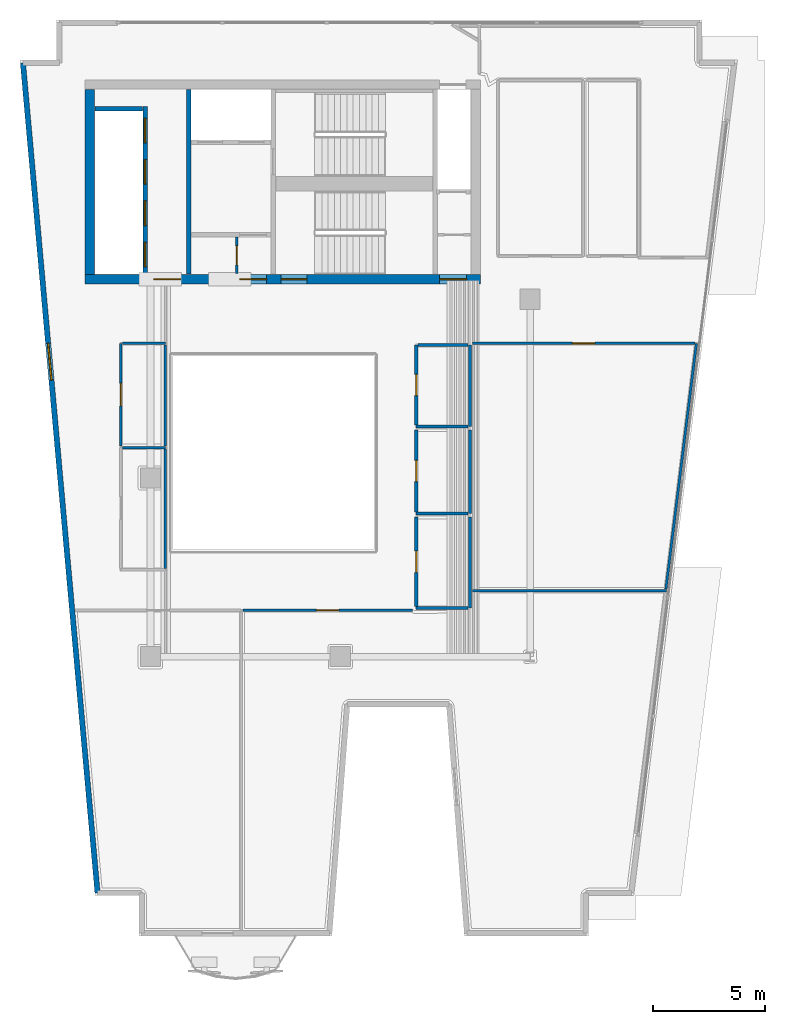
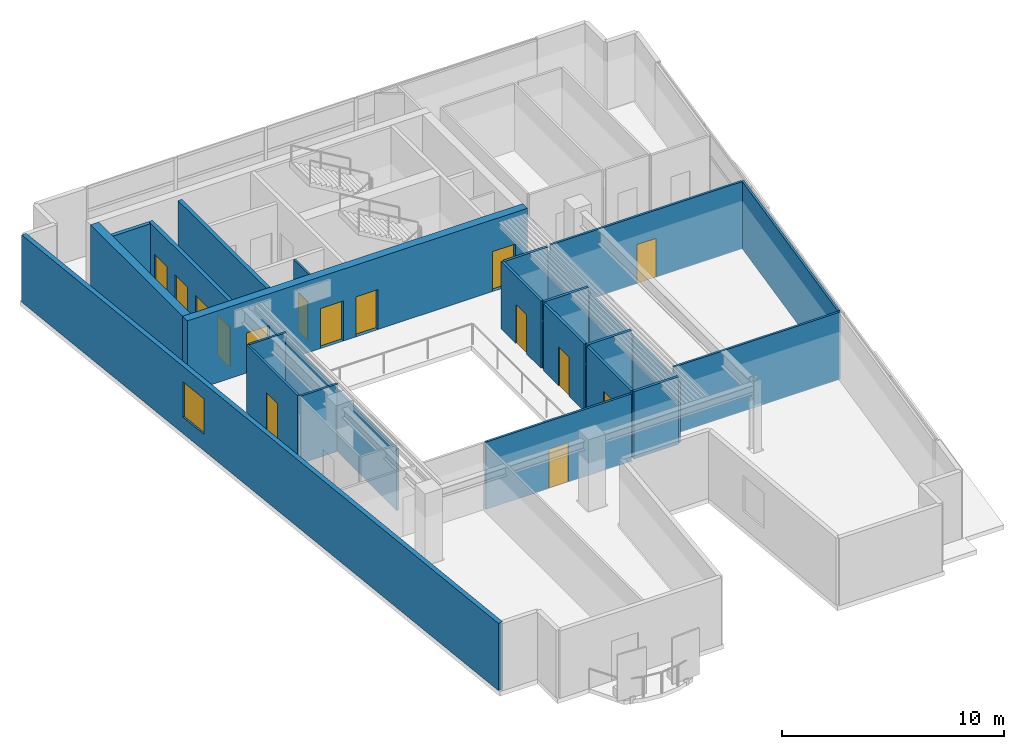
# One storey, part 4 of 8: 26 walls, 15 doors, 1 window, 16 openings.
"""IFC4 building model written with IfcOpenShell, lengths in metres."""

from ifc_helpers import new_model, si_unit, direction, frame, frame_2d, origin, place, context, subcontext, project, spatial, rectangle, extrude, material, layer, layer_set, type_object, element, fill, save


model = new_model("IFC4")

# Units and contexts
model_context = context("Model", 3, precision=1e-05, world=origin(), true_north=direction((0.0, 1.0)))
body_context = subcontext(model_context, "Body", "Model", "MODEL_VIEW")
ifc_project = project(units=[si_unit("LENGTHUNIT", "METRE"), si_unit("AREAUNIT", "SQUARE_METRE"), si_unit("VOLUMEUNIT", "CUBIC_METRE"), si_unit("PLANEANGLEUNIT", "RADIAN"), si_unit("MASSUNIT", "GRAM", prefix="KILO")], contexts=[model_context])

# Site, building, storey
site_placement = place(None, origin())
site = spatial("IfcSite", under=ifc_project, at=site_placement, CompositionType="ELEMENT")
building_placement = place(site_placement, origin())
building = spatial("IfcBuilding", under=site, at=building_placement, Name="Caeloran Harvest Quay", CompositionType="ELEMENT")
storey_placement = place(building_placement, frame((0.0, 0.0, 256.699951171875)))
storey = spatial("IfcBuildingStorey", under=building, at=storey_placement, Name="L61", CompositionType="ELEMENT", Elevation=256.699951171875)

# Wall, opening, window
ifc_material_1 = material(Name="Precast concrete C50/60", Category="concrete")
ifc_layer_1 = layer(ifc_material_1, 0.239990234375, Name="Precast concrete C50/60")
ifc_layer_set_1 = layer_set([ifc_layer_1], Name="Precast concrete C50/60")
wall_type_1 = type_object("IfcWallType", Name="ENV-WALL-EW-240", PredefinedType="STANDARD", material=ifc_layer_set_1)
wall_1_placement = place(storey_placement, frame((6.13330078125, 4.419921875, 0.0), z_axis=(0.0, 0.0, 1.0), x_axis=(-0.089522678378, 0.995984784048, 0.0)))
wall_1 = element("IfcWall", 1, at=wall_1_placement, inside=storey, type_object=wall_type_1, Name="L61 Exterior Precast Concrete Facade Wall 3", PredefinedType="STANDARD", context=body_context, shape_type="SweptSolid", body=[
    extrude(rectangle(XDim=37.31005859375, YDim=0.239990234375, at=frame_2d((18.655029296875, 0.0))), origin(), (0.0, 0.0, 1.0), 3.699951171875),
])
opening_1_placement = place(wall_1_placement, frame((23.052978515625, 0.0, 0.89990234375)))
opening_1 = element("IfcOpeningElement", 2, at=opening_1_placement, cuts=wall_1, Name="Opening W-08", PredefinedType="OPENING", context=body_context, shape_type="SweptSolid", body=[
    extrude(rectangle(XDim=1.64990234375, YDim=1.949951171875, at=frame_2d((0.824951171875, 0.97509765625))), frame((0.0, 0.1298828125, 0.0), z_axis=(0.0, -1.0, 0.0), x_axis=(1.0, 0.0, 0.0)), (0.0, 0.0, 1.0), 0.260009765625),
])
ifc_material_2 = material(Name="Aluminium-Framed Low-E Laminated Glass", Category="aluminium")
window_type = type_object("IfcWindowType", Name="WIN-W-08", PartitioningType="SINGLE_PANEL", PredefinedType="WINDOW", material=ifc_material_2)
window_placement = place(opening_1_placement, origin())
window = element("IfcWindow", 3, at=window_placement, inside=storey, type_object=window_type, Name="L61 Facade Punched Window W-08", OverallHeight=1.949951171875, OverallWidth=1.64990234375, PartitioningType="SINGLE_PANEL", PredefinedType="WINDOW", context=body_context, shape_type="SweptSolid", body=[
    extrude(rectangle(XDim=1.64990234375, YDim=1.949951171875, at=frame_2d((0.824951171875, 0.97509765625))), frame((0.0, 0.030029296875, 0.0), z_axis=(0.0, -1.0, 0.0), x_axis=(1.0, 0.0, 0.0)), (0.0, 0.0, 1.0), 0.06005859375),
])
fill(opening_1, window)

# Wall, opening, door
ifc_material_3 = material(Name="Fire-Resisting Gypsum Core Riser Partition", Category="gypsum")
ifc_layer_2 = layer(ifc_material_3, 0.10009765625, Name="Fire-Resisting Gypsum Core Riser Partition")
ifc_layer_set_2 = layer_set([ifc_layer_2], Name="Fire-Resisting Gypsum Core Riser Partition")
wall_type_2 = type_object("IfcWallType", Name="INT-WALL-PW-100", PredefinedType="PARTITIONING", material=ifc_layer_set_2)
wall_2_placement = place(storey_placement, frame((12.360107421875, 32.159912109375, 0.0), z_axis=(0.0, 0.0, 1.0), x_axis=(0.0, 1.0, 0.0)))
wall_2 = element("IfcWall", 4, at=wall_2_placement, inside=storey, type_object=wall_type_2, Name="L61 Core Store Partition Wall", PredefinedType="PARTITIONING", context=body_context, shape_type="SweptSolid", body=[
    extrude(rectangle(XDim=1.6201171875, YDim=0.10009765625, at=frame_2d((0.81005859375, 0.0))), origin(), (0.0, 0.0, 1.0), 3.699951171875),
])
opening_2_placement = place(wall_2_placement, frame((0.3798828125, 0.0, 0.0)))
opening_2 = element("IfcOpeningElement", 5, at=opening_2_placement, cuts=wall_2, Name="Opening SV-01", PredefinedType="OPENING", context=body_context, shape_type="SweptSolid", body=[
    extrude(rectangle(XDim=0.85009765625, YDim=2.10009765625, at=frame_2d((0.425048828125, 1.050048828125))), frame((0.0, 0.06005859375, 0.0), z_axis=(0.0, -1.0, 0.0), x_axis=(1.0, 0.0, 0.0)), (0.0, 0.0, 1.0), 0.1201171875),
])
ifc_material_4 = material(Name="Galvanized Painted Steel", Category="steel")
door_type_1 = type_object("IfcDoorType", Name="INTDOOR-SV-01", OperationType="NOTDEFINED", PredefinedType="DOOR", material=ifc_material_4)
door_1_placement = place(opening_2_placement, origin())
door_1 = element("IfcDoor", 6, at=door_1_placement, inside=storey, type_object=door_type_1, Name="L61 Core Service Room Access Door", OperationType="SINGLE_SWING_LEFT", OverallHeight=2.10009765625, OverallWidth=0.85009765625, PredefinedType="DOOR", context=body_context, shape_type="SweptSolid", body=[
    extrude(rectangle(XDim=0.85009765625, YDim=2.10009765625, at=frame_2d((0.425048828125, 1.050048828125))), frame((0.0, 0.02490234375, 0.0), z_axis=(0.0, -1.0, 0.0), x_axis=(1.0, 0.0, 0.0)), (0.0, 0.0, 1.0), 0.050048828125),
])
fill(opening_2, door_1)

# Wall
ifc_material_5 = material(Name="Single-Stud Acoustic Gypsum Office Partition", Category="gypsum")
ifc_layer_3 = layer(ifc_material_5, 0.112060546875, Name="Single-Stud Acoustic Gypsum Office Partition")
ifc_layer_set_3 = layer_set([ifc_layer_3], Name="Single-Stud Acoustic Gypsum Office Partition")
wall_type_3 = type_object("IfcWallType", Name="INT-WALL-PW-112", PredefinedType="PARTITIONING", material=ifc_layer_set_3)
wall_3_placement = place(storey_placement, frame((22.909912109375, 17.93994140625, 0.0), z_axis=(0.0, 0.0, 1.0), x_axis=(1.0, 0.0, 0.0)))
element("IfcWall", 7, at=wall_3_placement, inside=storey, type_object=wall_type_3, Name="Philanthropy Impact Office Partition Wall", PredefinedType="PARTITIONING", context=body_context, shape_type="SweptSolid", body=[
    extrude(rectangle(XDim=8.6904296875, YDim=0.112060546875, at=frame_2d((4.34521484375, 0.0))), origin(), (0.0, 0.0, 1.0), 3.699951171875),
])

# Wall, opening, door
wall_4_placement = place(storey_placement, frame((12.639892578125, 17.070068359375, 0.0), z_axis=(0.0, 0.0, 1.0), x_axis=(1.0, 0.0, 0.0)))
wall_4 = element("IfcWall", 8, at=wall_4_placement, inside=storey, type_object=wall_type_3, Name="Philanthropy Impact Office Partition Wall", PredefinedType="PARTITIONING", context=body_context, shape_type="SweptSolid", body=[
    extrude(rectangle(XDim=7.587158203125, YDim=0.112060546875, at=frame_2d((3.79345703125, 0.0))), origin(), (0.0, 0.0, 1.0), 3.699951171875),
])
opening_3_placement = place(wall_4_placement, frame((3.29345703125, 0.0, 0.0)))
opening_3 = element("IfcOpeningElement", 9, at=opening_3_placement, cuts=wall_4, Name="Opening ID-01", PredefinedType="OPENING", context=body_context, shape_type="SweptSolid", body=[
    extrude(rectangle(XDim=1.0, YDim=2.14990234375, at=frame_2d((0.5, 1.074951171875))), frame((0.0, 0.06591796875, 0.0), z_axis=(0.0, -1.0, 0.0), x_axis=(1.0, 0.0, 0.0)), (0.0, 0.0, 1.0), 0.132080078125),
])
ifc_material_6 = material(Name="FSC Solid-Core Ash Timber and Acoustic Seal", Category="wood")
door_type_2 = type_object("IfcDoorType", Name="INTDOOR-ID-01", OperationType="NOTDEFINED", PredefinedType="DOOR", material=ifc_material_6)
door_2_placement = place(opening_3_placement, origin())
door_2 = element("IfcDoor", 10, at=door_2_placement, inside=storey, type_object=door_type_2, Name="Philanthropy Impact Office Access Door", OperationType="SINGLE_SWING_RIGHT", OverallHeight=2.14990234375, OverallWidth=1.0, PredefinedType="DOOR", context=body_context, shape_type="SweptSolid", body=[
    extrude(rectangle(XDim=1.0, YDim=2.14990234375, at=frame_2d((0.5, 1.074951171875))), frame((0.0, 0.02490234375, 0.0), z_axis=(0.0, -1.0, 0.0), x_axis=(1.0, 0.0, 0.0)), (0.0, 0.0, 1.0), 0.050048828125),
])
fill(opening_3, door_2)

# Walls
wall_5_placement = place(storey_placement, frame((7.240966796875, 24.360107421875, 0.0), z_axis=(0.0, 0.0, 1.0), x_axis=(1.0, 0.0, 0.0)))
element("IfcWall", 11, at=wall_5_placement, inside=storey, type_object=wall_type_3, Name="Quantitative Strategy Laboratory Partition Wall", PredefinedType="PARTITIONING", context=body_context, shape_type="SweptSolid", body=[
    extrude(rectangle(XDim=1.928955078125, YDim=0.112060546875, at=frame_2d((0.96435546875, 0.0))), origin(), (0.0, 0.0, 1.0), 3.699951171875),
])
wall_6_placement = place(storey_placement, frame((9.169921875, 24.299072265625, 0.0), z_axis=(0.0, 0.0, 1.0), x_axis=(0.0, -1.0, 0.0)))
element("IfcWall", 12, at=wall_6_placement, inside=storey, type_object=wall_type_3, Name="Quantitative Strategy Laboratory Partition Wall", PredefinedType="PARTITIONING", context=body_context, shape_type="SweptSolid", body=[
    extrude(rectangle(XDim=5.358154296875, YDim=0.112060546875, at=frame_2d((2.67919921875, 0.0))), origin(), (0.0, 0.0, 1.0), 3.385009765625),
])
wall_7_placement = place(storey_placement, frame((32.94091796875, 29.02001953125, 0.0), z_axis=(0.0, 0.0, 1.0), x_axis=(-0.123232290614, -0.99237785271, 0.0)))
element("IfcWall", 13, at=wall_7_placement, inside=storey, type_object=wall_type_3, Name="Investment Committee Boardroom Partition Wall", PredefinedType="PARTITIONING", context=body_context, shape_type="SweptSolid", body=[
    extrude(rectangle(XDim=11.08447265625, YDim=0.112060546875, at=frame_2d((5.542236328125, 0.0))), origin(), (0.0, 0.0, 1.0), 3.699951171875),
])

# Wall, opening, door
wall_8_placement = place(storey_placement, frame((22.909912109375, 29.02001953125, 0.0), z_axis=(0.0, 0.0, 1.0), x_axis=(1.0, 0.0, 0.0)))
wall_8 = element("IfcWall", 14, at=wall_8_placement, inside=storey, type_object=wall_type_3, Name="Investment Committee Boardroom Partition Wall", PredefinedType="PARTITIONING", context=body_context, shape_type="SweptSolid", body=[
    extrude(rectangle(XDim=9.969482421875, YDim=0.112060546875, at=frame_2d((4.98486328125, 0.0))), origin(), (0.0, 0.0, 1.0), 3.699951171875),
])
opening_4_placement = place(wall_8_placement, frame((4.48486328125, 0.0, 0.0)))
opening_4 = element("IfcOpeningElement", 15, at=opening_4_placement, cuts=wall_8, Name="Opening ID-01", PredefinedType="OPENING", context=body_context, shape_type="SweptSolid", body=[
    extrude(rectangle(XDim=1.0, YDim=2.14990234375, at=frame_2d((0.5, 1.074951171875))), frame((0.0, 0.06591796875, 0.0), z_axis=(0.0, -1.0, 0.0), x_axis=(1.0, 0.0, 0.0)), (0.0, 0.0, 1.0), 0.132080078125),
])
door_3_placement = place(opening_4_placement, origin())
door_3 = element("IfcDoor", 16, at=door_3_placement, inside=storey, type_object=door_type_2, Name="Investment Committee Boardroom Access Door", OperationType="SINGLE_SWING_RIGHT", OverallHeight=2.14990234375, OverallWidth=1.0, PredefinedType="DOOR", context=body_context, shape_type="SweptSolid", body=[
    extrude(rectangle(XDim=1.0, YDim=2.14990234375, at=frame_2d((0.5, 1.074951171875))), frame((0.0, 0.02490234375, 0.0), z_axis=(0.0, -1.0, 0.0), x_axis=(1.0, 0.0, 0.0)), (0.0, 0.0, 1.0), 0.050048828125),
])
fill(opening_4, door_3)

wall_9_placement = place(storey_placement, frame((7.179931640625, 24.43994140625, 0.0), z_axis=(0.0, 0.0, 1.0), x_axis=(0.0, 1.0, 0.0)))
wall_9 = element("IfcWall", 17, at=wall_9_placement, inside=storey, type_object=wall_type_3, Name="Harbour Sky Salon Lounge Partition Wall", PredefinedType="PARTITIONING", context=body_context, shape_type="SweptSolid", body=[
    extrude(rectangle(XDim=4.580078125, YDim=0.112060546875, at=frame_2d((2.2900390625, 0.0))), origin(), (0.0, 0.0, 1.0), 3.699951171875),
])
opening_5_placement = place(wall_9_placement, frame((1.7900390625, 0.0, 0.0)))
opening_5 = element("IfcOpeningElement", 18, at=opening_5_placement, cuts=wall_9, Name="Opening ID-01", PredefinedType="OPENING", context=body_context, shape_type="SweptSolid", body=[
    extrude(rectangle(XDim=1.0, YDim=2.14990234375, at=frame_2d((0.5, 1.074951171875))), frame((0.0, 0.06591796875, 0.0), z_axis=(0.0, -1.0, 0.0), x_axis=(1.0, 0.0, 0.0)), (0.0, 0.0, 1.0), 0.132080078125),
])
door_4_placement = place(opening_5_placement, origin())
door_4 = element("IfcDoor", 19, at=door_4_placement, inside=storey, type_object=door_type_2, Name="Harbour Sky Salon Lounge Access Door", OperationType="SINGLE_SWING_LEFT", OverallHeight=2.14990234375, OverallWidth=1.0, PredefinedType="DOOR", context=body_context, shape_type="SweptSolid", body=[
    extrude(rectangle(XDim=1.0, YDim=2.14990234375, at=frame_2d((0.5, 1.074951171875))), frame((0.0, 0.02490234375, 0.0), z_axis=(0.0, -1.0, 0.0), x_axis=(1.0, 0.0, 0.0)), (0.0, 0.0, 1.0), 0.050048828125),
])
fill(opening_5, door_4)

# Walls
wall_10_placement = place(storey_placement, frame((7.240966796875, 29.02001953125, 0.0), z_axis=(0.0, 0.0, 1.0), x_axis=(1.0, 0.0, 0.0)))
element("IfcWall", 20, at=wall_10_placement, inside=storey, type_object=wall_type_3, Name="Harbour Sky Salon Lounge Partition Wall", PredefinedType="PARTITIONING", context=body_context, shape_type="SweptSolid", body=[
    extrude(rectangle(XDim=1.928955078125, YDim=0.112060546875, at=frame_2d((0.96435546875, 0.0))), origin(), (0.0, 0.0, 1.0), 3.699951171875),
])
wall_11_placement = place(storey_placement, frame((9.169921875, 28.958984375, 0.0), z_axis=(0.0, 0.0, 1.0), x_axis=(0.0, -1.0, 0.0)))
element("IfcWall", 21, at=wall_11_placement, inside=storey, type_object=wall_type_3, Name="Harbour Sky Salon Lounge Partition Wall", PredefinedType="PARTITIONING", context=body_context, shape_type="SweptSolid", body=[
    extrude(rectangle(XDim=4.51904296875, YDim=0.112060546875, at=frame_2d((2.259521484375, 0.0))), origin(), (0.0, 0.0, 1.0), 3.385009765625),
])
ifc_material_7 = material(Name="Moisture-Resistant Cement-Board Sanitary Partition", Category="gypsum")
ifc_layer_4 = layer(ifc_material_7, 0.139892578125, Name="Moisture-Resistant Cement-Board Sanitary Partition")
ifc_layer_set_4 = layer_set([ifc_layer_4], Name="Moisture-Resistant Cement-Board Sanitary Partition")
wall_type_4 = type_object("IfcWallType", Name="INT-WALL-PW-140", PredefinedType="PARTITIONING", material=ifc_layer_set_4)
wall_12_placement = place(storey_placement, frame((22.800048828125, 28.949951171875, 0.0), z_axis=(0.0, 0.0, 1.0), x_axis=(0.0, -1.0, 0.0)))
element("IfcWall", 22, at=wall_12_placement, inside=storey, type_object=wall_type_4, Name="L61 Male Washroom WC Partition Wall", PredefinedType="PARTITIONING", context=body_context, shape_type="SweptSolid", body=[
    extrude(rectangle(XDim=3.64990234375, YDim=0.139892578125, at=frame_2d((1.824951171875, 0.0))), origin(), (0.0, 0.0, 1.0), 3.385009765625),
])
wall_13_placement = place(storey_placement, frame((22.72509765625, 25.300048828125, 0.0), z_axis=(0.0, 0.0, 1.0), x_axis=(-1.0, 0.0, 0.0)))
element("IfcWall", 23, at=wall_13_placement, inside=storey, type_object=wall_type_4, Name="L61 Male Washroom WC Partition Wall", PredefinedType="PARTITIONING", context=body_context, shape_type="SweptSolid", body=[
    extrude(rectangle(XDim=2.3251953125, YDim=0.139892578125, at=frame_2d((1.16259765625, 0.0))), origin(), (0.0, 0.0, 1.0), 3.699951171875),
])

# Wall, opening, door
wall_14_placement = place(storey_placement, frame((20.39990234375, 25.375, 0.0), z_axis=(0.0, 0.0, 1.0), x_axis=(0.0, 1.0, 0.0)))
wall_14 = element("IfcWall", 24, at=wall_14_placement, inside=storey, type_object=wall_type_4, Name="L61 Male Washroom WC Partition Wall", PredefinedType="PARTITIONING", context=body_context, shape_type="SweptSolid", body=[
    extrude(rectangle(XDim=3.574951171875, YDim=0.139892578125, at=frame_2d((1.78759765625, 0.0))), origin(), (0.0, 0.0, 1.0), 3.699951171875),
])
opening_6_placement = place(wall_14_placement, frame((1.3125, 0.0, 0.0)))
opening_6 = element("IfcOpeningElement", 25, at=opening_6_placement, cuts=wall_14, Name="Opening WC-01", PredefinedType="OPENING", context=body_context, shape_type="SweptSolid", body=[
    extrude(rectangle(XDim=0.949951171875, YDim=2.14990234375, at=frame_2d((0.47509765625, 1.074951171875))), frame((0.0, 0.080078125, 0.0), z_axis=(0.0, -1.0, 0.0), x_axis=(1.0, 0.0, 0.0)), (0.0, 0.0, 1.0), 0.159912109375),
])
ifc_material_8 = material(Name="High-Pressure Laminate Moisture-Resistant Timber", Category="wood")
door_type_3 = type_object("IfcDoorType", Name="INTDOOR-WC-01", OperationType="NOTDEFINED", PredefinedType="DOOR", material=ifc_material_8)
door_5_placement = place(opening_6_placement, origin())
door_5 = element("IfcDoor", 26, at=door_5_placement, inside=storey, type_object=door_type_3, Name="L61 Male Washroom WC Access Door", OperationType="SINGLE_SWING_RIGHT", OverallHeight=2.14990234375, OverallWidth=0.949951171875, PredefinedType="DOOR", context=body_context, shape_type="SweptSolid", body=[
    extrude(rectangle(XDim=0.949951171875, YDim=2.14990234375, at=frame_2d((0.47509765625, 1.074951171875))), frame((0.0, 0.02490234375, 0.0), z_axis=(0.0, -1.0, 0.0), x_axis=(1.0, 0.0, 0.0)), (0.0, 0.0, 1.0), 0.050048828125),
])
fill(opening_6, door_5)

# Walls
wall_15_placement = place(storey_placement, frame((20.47509765625, 28.949951171875, 0.0), z_axis=(0.0, 0.0, 1.0), x_axis=(1.0, 0.0, 0.0)))
element("IfcWall", 27, at=wall_15_placement, inside=storey, type_object=wall_type_4, Name="L61 Male Washroom WC Partition Wall", PredefinedType="PARTITIONING", context=body_context, shape_type="SweptSolid", body=[
    extrude(rectangle(XDim=2.25, YDim=0.139892578125, at=frame_2d((1.125, 0.0))), origin(), (0.0, 0.0, 1.0), 3.699951171875),
])
wall_16_placement = place(storey_placement, frame((22.800048828125, 25.14990234375, 0.0), z_axis=(0.0, 0.0, 1.0), x_axis=(0.0, -1.0, 0.0)))
element("IfcWall", 28, at=wall_16_placement, inside=storey, type_object=wall_type_4, Name="L61 Female Washroom WC Partition Wall", PredefinedType="PARTITIONING", context=body_context, shape_type="SweptSolid", body=[
    extrude(rectangle(XDim=3.75, YDim=0.139892578125, at=frame_2d((1.875, 0.0))), origin(), (0.0, 0.0, 1.0), 3.385009765625),
])
wall_17_placement = place(storey_placement, frame((22.72509765625, 21.39990234375, 0.0), z_axis=(0.0, 0.0, 1.0), x_axis=(-1.0, 0.0, 0.0)))
element("IfcWall", 29, at=wall_17_placement, inside=storey, type_object=wall_type_4, Name="L61 Female Washroom WC Partition Wall", PredefinedType="PARTITIONING", context=body_context, shape_type="SweptSolid", body=[
    extrude(rectangle(XDim=2.3251953125, YDim=0.139892578125, at=frame_2d((1.16259765625, 0.0))), origin(), (0.0, 0.0, 1.0), 3.699951171875),
])

# Wall, opening, door
wall_18_placement = place(storey_placement, frame((20.39990234375, 21.47509765625, 0.0), z_axis=(0.0, 0.0, 1.0), x_axis=(0.0, 1.0, 0.0)))
wall_18 = element("IfcWall", 30, at=wall_18_placement, inside=storey, type_object=wall_type_4, Name="L61 Female Washroom WC Partition Wall", PredefinedType="PARTITIONING", context=body_context, shape_type="SweptSolid", body=[
    extrude(rectangle(XDim=3.6748046875, YDim=0.139892578125, at=frame_2d((1.83740234375, 0.0))), origin(), (0.0, 0.0, 1.0), 3.699951171875),
])
opening_7_placement = place(wall_18_placement, frame((1.362548828125, 0.0, 0.0)))
opening_7 = element("IfcOpeningElement", 31, at=opening_7_placement, cuts=wall_18, Name="Opening WC-01", PredefinedType="OPENING", context=body_context, shape_type="SweptSolid", body=[
    extrude(rectangle(XDim=0.949951171875, YDim=2.14990234375, at=frame_2d((0.47509765625, 1.074951171875))), frame((0.0, 0.080078125, 0.0), z_axis=(0.0, -1.0, 0.0), x_axis=(1.0, 0.0, 0.0)), (0.0, 0.0, 1.0), 0.159912109375),
])
door_6_placement = place(opening_7_placement, origin())
door_6 = element("IfcDoor", 32, at=door_6_placement, inside=storey, type_object=door_type_3, Name="L61 Female Washroom WC Access Door", OperationType="SINGLE_SWING_LEFT", OverallHeight=2.14990234375, OverallWidth=0.949951171875, PredefinedType="DOOR", context=body_context, shape_type="SweptSolid", body=[
    extrude(rectangle(XDim=0.949951171875, YDim=2.14990234375, at=frame_2d((0.47509765625, 1.074951171875))), frame((0.0, 0.02490234375, 0.0), z_axis=(0.0, -1.0, 0.0), x_axis=(1.0, 0.0, 0.0)), (0.0, 0.0, 1.0), 0.050048828125),
])
fill(opening_7, door_6)

# Walls
wall_19_placement = place(storey_placement, frame((22.800048828125, 21.25, 0.0), z_axis=(0.0, 0.0, 1.0), x_axis=(0.0, -1.0, 0.0)))
element("IfcWall", 33, at=wall_19_placement, inside=storey, type_object=wall_type_4, Name="L61 Accessible Unisex Washroom WC Partition Wall", PredefinedType="PARTITIONING", context=body_context, shape_type="SweptSolid", body=[
    extrude(rectangle(XDim=4.070068359375, YDim=0.139892578125, at=frame_2d((2.03515625, 0.0))), origin(), (0.0, 0.0, 1.0), 3.385009765625),
])
wall_20_placement = place(storey_placement, frame((22.72509765625, 17.179931640625, 0.0), z_axis=(0.0, 0.0, 1.0), x_axis=(-1.0, 0.0, 0.0)))
element("IfcWall", 34, at=wall_20_placement, inside=storey, type_object=wall_type_4, Name="L61 Accessible Unisex Washroom WC Partition Wall", PredefinedType="PARTITIONING", context=body_context, shape_type="SweptSolid", body=[
    extrude(rectangle(XDim=2.3251953125, YDim=0.139892578125, at=frame_2d((1.16259765625, 0.0))), origin(), (0.0, 0.0, 1.0), 3.699951171875),
])

# Wall, opening, door
wall_21_placement = place(storey_placement, frame((20.39990234375, 17.2548828125, 0.0), z_axis=(0.0, 0.0, 1.0), x_axis=(0.0, 1.0, 0.0)))
wall_21 = element("IfcWall", 35, at=wall_21_placement, inside=storey, type_object=wall_type_4, Name="L61 Accessible Unisex Washroom WC Partition Wall", PredefinedType="PARTITIONING", context=body_context, shape_type="SweptSolid", body=[
    extrude(rectangle(XDim=3.9951171875, YDim=0.139892578125, at=frame_2d((1.99755859375, 0.0))), origin(), (0.0, 0.0, 1.0), 3.699951171875),
])
opening_8_placement = place(wall_21_placement, frame((1.5224609375, 0.0, 0.0)))
opening_8 = element("IfcOpeningElement", 36, at=opening_8_placement, cuts=wall_21, Name="Opening WC-01", PredefinedType="OPENING", context=body_context, shape_type="SweptSolid", body=[
    extrude(rectangle(XDim=0.949951171875, YDim=2.14990234375, at=frame_2d((0.47509765625, 1.074951171875))), frame((0.0, 0.080078125, 0.0), z_axis=(0.0, -1.0, 0.0), x_axis=(1.0, 0.0, 0.0)), (0.0, 0.0, 1.0), 0.159912109375),
])
door_7_placement = place(opening_8_placement, origin())
door_7 = element("IfcDoor", 37, at=door_7_placement, inside=storey, type_object=door_type_3, Name="L61 Accessible Unisex Washroom WC Access Door", OperationType="SINGLE_SWING_RIGHT", OverallHeight=2.14990234375, OverallWidth=0.949951171875, PredefinedType="DOOR", context=body_context, shape_type="SweptSolid", body=[
    extrude(rectangle(XDim=0.949951171875, YDim=2.14990234375, at=frame_2d((0.47509765625, 1.074951171875))), frame((0.0, 0.02490234375, 0.0), z_axis=(0.0, -1.0, 0.0), x_axis=(1.0, 0.0, 0.0)), (0.0, 0.0, 1.0), 0.050048828125),
])
fill(opening_8, door_7)

# Wall, openings, doors
ifc_material_9 = material(Name="Concrete C50/60", Category="concrete")
ifc_layer_5 = layer(ifc_material_9, 0.199951171875, Name="Concrete C50/60")
ifc_layer_set_5 = layer_set([ifc_layer_5], Name="Concrete C50/60")
wall_type_5 = type_object("IfcWallType", Name="INT-WALL-SW-200", PredefinedType="PARTITIONING", material=ifc_layer_set_5)
wall_22_placement = place(storey_placement, frame((8.260009765625, 32.1201171875, 0.0), z_axis=(0.0, 0.0, 1.0), x_axis=(0.0, 1.0, 0.0)))
wall_22 = element("IfcWall", 38, at=wall_22_placement, inside=storey, type_object=wall_type_5, Name="L61 Bank 3 Lift Shaft Wall", PredefinedType="PARTITIONING", context=body_context, shape_type="SweptSolid", body=[
    extrude(rectangle(XDim=7.5, YDim=0.199951171875, at=frame_2d((3.75, 0.0))), origin(), (0.0, 0.0, 1.0), 3.699951171875),
])
opening_9_placement = place(wall_22_placement, frame((0.330078125, 0.0, 0.0)))
opening_9 = element("IfcOpeningElement", 39, at=opening_9_placement, cuts=wall_22, Name="Opening LD-01", PredefinedType="OPENING", context=body_context, shape_type="SweptSolid", body=[
    extrude(rectangle(XDim=1.10009765625, YDim=2.199951171875, at=frame_2d((0.550048828125, 1.10009765625))), frame((0.0, 0.10986328125, 0.0), z_axis=(0.0, -1.0, 0.0), x_axis=(1.0, 0.0, 0.0)), (0.0, 0.0, 1.0), 0.219970703125),
])
opening_10_placement = place(wall_22_placement, frame((2.179931640625, 0.0, 0.0)))
opening_10 = element("IfcOpeningElement", 40, at=opening_10_placement, cuts=wall_22, Name="Opening LD-01", PredefinedType="OPENING", context=body_context, shape_type="SweptSolid", body=[
    extrude(rectangle(XDim=1.10009765625, YDim=2.199951171875, at=frame_2d((0.550048828125, 1.10009765625))), frame((0.0, 0.10986328125, 0.0), z_axis=(0.0, -1.0, 0.0), x_axis=(1.0, 0.0, 0.0)), (0.0, 0.0, 1.0), 0.219970703125),
])
opening_11_placement = place(wall_22_placement, frame((4.030029296875, 0.0, 0.0)))
opening_11 = element("IfcOpeningElement", 41, at=opening_11_placement, cuts=wall_22, Name="Opening LD-01", PredefinedType="OPENING", context=body_context, shape_type="SweptSolid", body=[
    extrude(rectangle(XDim=1.10009765625, YDim=2.199951171875, at=frame_2d((0.550048828125, 1.10009765625))), frame((0.0, 0.10986328125, 0.0), z_axis=(0.0, -1.0, 0.0), x_axis=(1.0, 0.0, 0.0)), (0.0, 0.0, 1.0), 0.219970703125),
])
opening_12_placement = place(wall_22_placement, frame((5.8798828125, 0.0, 0.0)))
opening_12 = element("IfcOpeningElement", 42, at=opening_12_placement, cuts=wall_22, Name="Opening LD-01", PredefinedType="OPENING", context=body_context, shape_type="SweptSolid", body=[
    extrude(rectangle(XDim=1.10009765625, YDim=2.199951171875, at=frame_2d((0.550048828125, 1.10009765625))), frame((0.0, 0.10986328125, 0.0), z_axis=(0.0, -1.0, 0.0), x_axis=(1.0, 0.0, 0.0)), (0.0, 0.0, 1.0), 0.219970703125),
])
ifc_material_10 = material(Name="Stainless Steel Grade 316", Category="steel")
door_type_4 = type_object("IfcDoorType", Name="INTDOOR-LD-01", OperationType="NOTDEFINED", PredefinedType="DOOR", material=ifc_material_10)
door_8_placement = place(opening_9_placement, origin())
door_8 = element("IfcDoor", 43, at=door_8_placement, inside=storey, type_object=door_type_4, Name="Lift P3-1 Sliding Landing Door (L61)", OperationType="DOUBLE_DOOR_SLIDING", OverallHeight=2.199951171875, OverallWidth=1.10009765625, PredefinedType="DOOR", context=body_context, shape_type="SweptSolid", body=[
    extrude(rectangle(XDim=1.10009765625, YDim=2.199951171875, at=frame_2d((0.550048828125, 1.10009765625))), frame((0.0, 0.02490234375, 0.0), z_axis=(0.0, -1.0, 0.0), x_axis=(1.0, 0.0, 0.0)), (0.0, 0.0, 1.0), 0.050048828125),
])
fill(opening_9, door_8)
door_9_placement = place(opening_10_placement, origin())
door_9 = element("IfcDoor", 44, at=door_9_placement, inside=storey, type_object=door_type_4, Name="Lift P3-2 Sliding Landing Door (L61)", OperationType="DOUBLE_DOOR_SLIDING", OverallHeight=2.199951171875, OverallWidth=1.10009765625, PredefinedType="DOOR", context=body_context, shape_type="SweptSolid", body=[
    extrude(rectangle(XDim=1.10009765625, YDim=2.199951171875, at=frame_2d((0.550048828125, 1.10009765625))), frame((0.0, 0.02490234375, 0.0), z_axis=(0.0, -1.0, 0.0), x_axis=(1.0, 0.0, 0.0)), (0.0, 0.0, 1.0), 0.050048828125),
])
fill(opening_10, door_9)
door_10_placement = place(opening_11_placement, origin())
door_10 = element("IfcDoor", 45, at=door_10_placement, inside=storey, type_object=door_type_4, Name="Lift P3-3 Sliding Landing Door (L61)", OperationType="DOUBLE_DOOR_SLIDING", OverallHeight=2.199951171875, OverallWidth=1.10009765625, PredefinedType="DOOR", context=body_context, shape_type="SweptSolid", body=[
    extrude(rectangle(XDim=1.10009765625, YDim=2.199951171875, at=frame_2d((0.550048828125, 1.10009765625))), frame((0.0, 0.02490234375, 0.0), z_axis=(0.0, -1.0, 0.0), x_axis=(1.0, 0.0, 0.0)), (0.0, 0.0, 1.0), 0.050048828125),
])
fill(opening_11, door_10)
door_11_placement = place(opening_12_placement, origin())
door_11 = element("IfcDoor", 46, at=door_11_placement, inside=storey, type_object=door_type_4, Name="Lift P3-4 Sliding Landing Door (L61)", OperationType="DOUBLE_DOOR_SLIDING", OverallHeight=2.199951171875, OverallWidth=1.10009765625, PredefinedType="DOOR", context=body_context, shape_type="SweptSolid", body=[
    extrude(rectangle(XDim=1.10009765625, YDim=2.199951171875, at=frame_2d((0.550048828125, 1.10009765625))), frame((0.0, 0.02490234375, 0.0), z_axis=(0.0, -1.0, 0.0), x_axis=(1.0, 0.0, 0.0)), (0.0, 0.0, 1.0), 0.050048828125),
])
fill(opening_12, door_11)

# Walls
wall_23_placement = place(storey_placement, frame((6.02001953125, 39.52001953125, 0.0), z_axis=(0.0, 0.0, 1.0), x_axis=(1.0, 0.0, 0.0)))
element("IfcWall", 47, at=wall_23_placement, inside=storey, type_object=wall_type_5, Name="L61 Bank 3 Lift Shaft North End Wall", PredefinedType="PARTITIONING", context=body_context, shape_type="SweptSolid", body=[
    extrude(rectangle(XDim=2.119873046875, YDim=0.199951171875, at=frame_2d((1.06005859375, 0.0))), origin(), (0.0, 0.0, 1.0), 3.699951171875),
])
wall_24_placement = place(storey_placement, frame((10.219970703125, 32.1201171875, 0.0), z_axis=(0.0, 0.0, 1.0), x_axis=(0.0, 1.0, 0.0)))
element("IfcWall", 48, at=wall_24_placement, inside=storey, type_object=wall_type_5, Name="L61 Core Lobby Compartment Wall", PredefinedType="PARTITIONING", context=body_context, shape_type="SweptSolid", body=[
    extrude(rectangle(XDim=8.259765625, YDim=0.199951171875, at=frame_2d((4.1298828125, 0.0))), origin(), (0.0, 0.0, 1.0), 3.699951171875),
])

# Wall, openings, doors
ifc_material_11 = material(Name="Concrete C60/75", Category="concrete")
ifc_layer_6 = layer(ifc_material_11, 0.419921875, Name="Concrete C60/75")
ifc_layer_set_6 = layer_set([ifc_layer_6], Name="Concrete C60/75")
wall_type_6 = type_object("IfcWallType", Name="STR-WALL-CW-420", PredefinedType="SHEAR", material=ifc_layer_set_6)
wall_25_placement = place(storey_placement, frame((5.580078125, 31.889892578125, 0.0), z_axis=(0.0, 0.0, 1.0), x_axis=(1.0, 0.0, 0.0)))
wall_25 = element("IfcWall", 49, at=wall_25_placement, inside=storey, type_object=wall_type_6, Name="L61 Rear Core Shear Wall S", PredefinedType="SHEAR", context=body_context, shape_type="SweptSolid", body=[
    extrude(rectangle(XDim=17.68994140625, YDim=0.419921875, at=frame_2d((8.844970703125, 0.0))), origin(), (0.0, 0.0, 1.0), 3.949951171875),
])
opening_13_placement = place(wall_25_placement, frame((3.070068359375, 0.0, 0.0)))
opening_13 = element("IfcOpeningElement", 50, at=opening_13_placement, cuts=wall_25, Name="Opening FD-01", PredefinedType="OPENING", context=body_context, shape_type="SweptSolid", body=[
    extrude(rectangle(XDim=1.199951171875, YDim=2.199951171875, at=frame_2d((0.60009765625, 1.10009765625))), frame((0.0, 0.219970703125, 0.0), z_axis=(0.0, -1.0, 0.0), x_axis=(1.0, 0.0, 0.0)), (0.0, 0.0, 1.0), 0.43994140625),
])
opening_14_placement = place(wall_25_placement, frame((6.919921875, 0.0, 0.0)))
opening_14 = element("IfcOpeningElement", 51, at=opening_14_placement, cuts=wall_25, Name="Opening FD-01", PredefinedType="OPENING", context=body_context, shape_type="SweptSolid", body=[
    extrude(rectangle(XDim=1.199951171875, YDim=2.199951171875, at=frame_2d((0.60009765625, 1.10009765625))), frame((0.0, 0.219970703125, 0.0), z_axis=(0.0, -1.0, 0.0), x_axis=(1.0, 0.0, 0.0)), (0.0, 0.0, 1.0), 0.43994140625),
])
opening_15_placement = place(wall_25_placement, frame((8.77001953125, 0.0, 0.0)))
opening_15 = element("IfcOpeningElement", 52, at=opening_15_placement, cuts=wall_25, Name="Opening SD-01", PredefinedType="OPENING", context=body_context, shape_type="SweptSolid", body=[
    extrude(rectangle(XDim=1.14990234375, YDim=2.199951171875, at=frame_2d((0.574951171875, 1.10009765625))), frame((0.0, 0.219970703125, 0.0), z_axis=(0.0, -1.0, 0.0), x_axis=(1.0, 0.0, 0.0)), (0.0, 0.0, 1.0), 0.43994140625),
])
opening_16_placement = place(wall_25_placement, frame((15.8701171875, 0.0, 0.0)))
opening_16 = element("IfcOpeningElement", 53, at=opening_16_placement, cuts=wall_25, Name="Opening FD-01", PredefinedType="OPENING", context=body_context, shape_type="SweptSolid", body=[
    extrude(rectangle(XDim=1.199951171875, YDim=2.199951171875, at=frame_2d((0.60009765625, 1.10009765625))), frame((0.0, 0.219970703125, 0.0), z_axis=(0.0, -1.0, 0.0), x_axis=(1.0, 0.0, 0.0)), (0.0, 0.0, 1.0), 0.43994140625),
])
ifc_material_12 = material(Name="Steel", Category="steel")
door_type_5 = type_object("IfcDoorType", Name="INTDOOR-FD-01", OperationType="NOTDEFINED", PredefinedType="DOOR", material=ifc_material_12)
door_12_placement = place(opening_13_placement, origin())
door_12 = element("IfcDoor", 54, at=door_12_placement, inside=storey, type_object=door_type_5, Name="L61 High-Rise Lift Lobby Fire Door", OperationType="SINGLE_SWING_LEFT", OverallHeight=2.199951171875, OverallWidth=1.199951171875, PredefinedType="DOOR", context=body_context, shape_type="SweptSolid", body=[
    extrude(rectangle(XDim=1.199951171875, YDim=2.199951171875, at=frame_2d((0.60009765625, 1.10009765625))), frame((0.0, 0.02490234375, 0.0), z_axis=(0.0, -1.0, 0.0), x_axis=(1.0, 0.0, 0.0)), (0.0, 0.0, 1.0), 0.050048828125),
])
fill(opening_13, door_12)
door_13_placement = place(opening_14_placement, origin())
door_13 = element("IfcDoor", 55, at=door_13_placement, inside=storey, type_object=door_type_5, Name="L61 Firefighting Lobby Vestibule Fire Door", OperationType="SINGLE_SWING_RIGHT", OverallHeight=2.199951171875, OverallWidth=1.199951171875, PredefinedType="DOOR", context=body_context, shape_type="SweptSolid", body=[
    extrude(rectangle(XDim=1.199951171875, YDim=2.199951171875, at=frame_2d((0.60009765625, 1.10009765625))), frame((0.0, 0.02490234375, 0.0), z_axis=(0.0, -1.0, 0.0), x_axis=(1.0, 0.0, 0.0)), (0.0, 0.0, 1.0), 0.050048828125),
])
fill(opening_14, door_13)
door_14_placement = place(opening_16_placement, origin())
door_14 = element("IfcDoor", 56, at=door_14_placement, inside=storey, type_object=door_type_5, Name="L61 Service Lift Lobby Fire Door", OperationType="SINGLE_SWING_RIGHT", OverallHeight=2.199951171875, OverallWidth=1.199951171875, PredefinedType="DOOR", context=body_context, shape_type="SweptSolid", body=[
    extrude(rectangle(XDim=1.199951171875, YDim=2.199951171875, at=frame_2d((0.60009765625, 1.10009765625))), frame((0.0, 0.02490234375, 0.0), z_axis=(0.0, -1.0, 0.0), x_axis=(1.0, 0.0, 0.0)), (0.0, 0.0, 1.0), 0.050048828125),
])
fill(opening_16, door_14)
door_type_6 = type_object("IfcDoorType", Name="INTDOOR-SD-01", OperationType="NOTDEFINED", PredefinedType="DOOR", material=ifc_material_12)
door_15_placement = place(opening_15_placement, origin())
door_15 = element("IfcDoor", 57, at=door_15_placement, inside=storey, type_object=door_type_6, Name="L61 Protected Stair ST-C2 Exit Door", OperationType="SINGLE_SWING_LEFT", OverallHeight=2.199951171875, OverallWidth=1.14990234375, PredefinedType="DOOR", context=body_context, shape_type="SweptSolid", body=[
    extrude(rectangle(XDim=1.14990234375, YDim=2.199951171875, at=frame_2d((0.574951171875, 1.10009765625))), frame((0.0, 0.02490234375, 0.0), z_axis=(0.0, -1.0, 0.0), x_axis=(1.0, 0.0, 0.0)), (0.0, 0.0, 1.0), 0.050048828125),
])
fill(opening_15, door_15)

# Wall
wall_26_placement = place(storey_placement, frame((5.7900390625, 32.10009765625, 0.0), z_axis=(0.0, 0.0, 1.0), x_axis=(0.0, 1.0, 0.0)))
element("IfcWall", 58, at=wall_26_placement, inside=storey, type_object=wall_type_6, Name="L61 Rear Core Shear Wall W", PredefinedType="SHEAR", context=body_context, shape_type="SweptSolid", body=[
    extrude(rectangle(XDim=8.2998046875, YDim=0.419921875, at=frame_2d((4.14990234375, 0.0))), origin(), (0.0, 0.0, 1.0), 3.949951171875),
])

save(model, "model.ifc")
